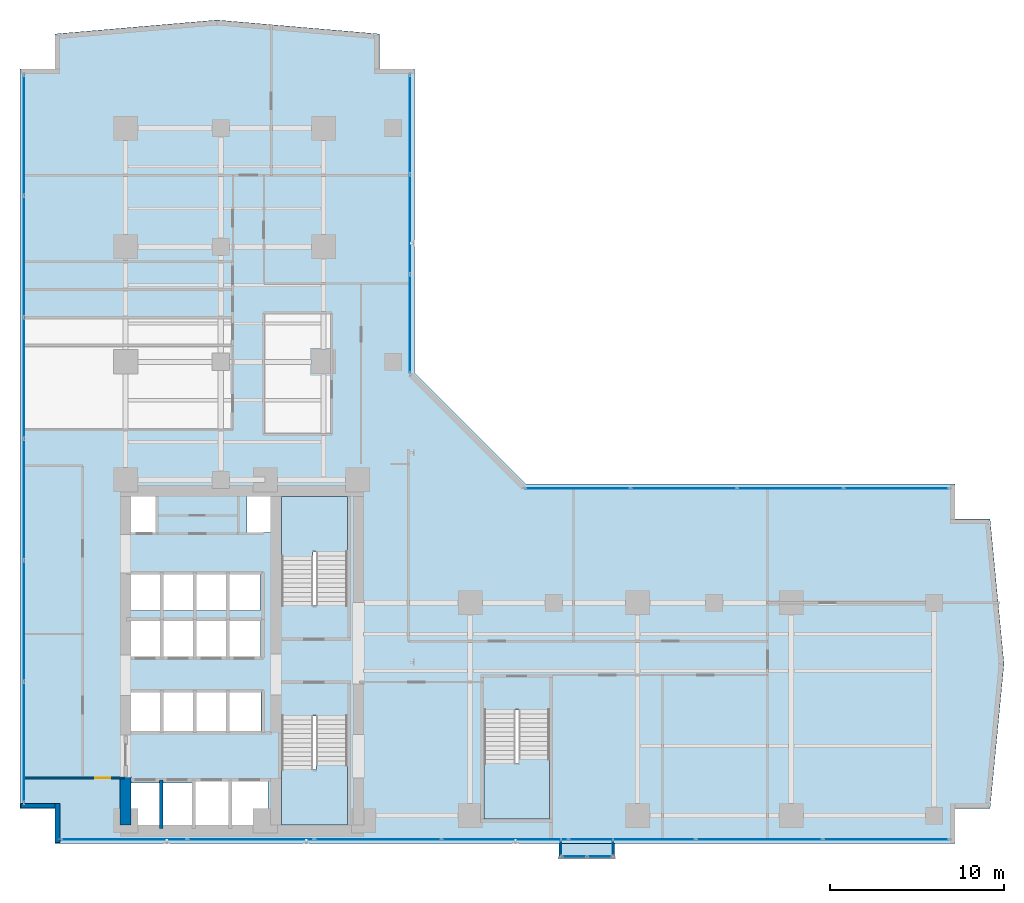
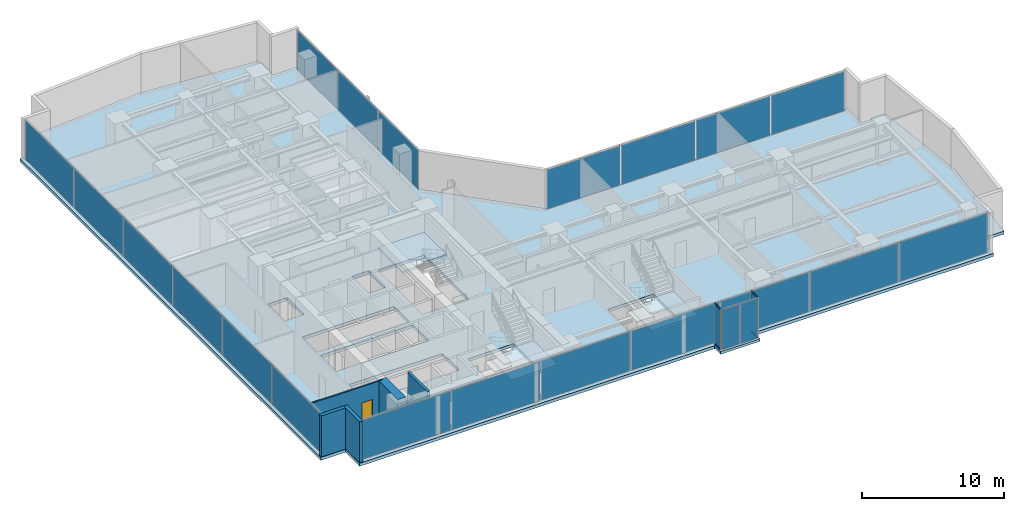
# One storey, part 20 of 28: 24 plates, 5 slabs, 5 walls, 4 members, 1 door, 1 opening, 10 elements without a shape of their own.
"""IFC4 building model written with IfcOpenShell, lengths in metres."""

import ifcopenshell
import ifcopenshell.guid

model = None  # the IFC model being written
_history = None  # IfcOwnerHistory: only IFC2X3 demands one
_inside = {}  # id of a spatial element -> (the spatial element, [elements in it])
_under = {}  # id of a project, library or spatial element -> (it, [spatial elements below it])
_declared = {}  # id of a project -> (the project, [libraries it declares])
_typed = {}  # id of a type object -> (the type object, [elements of that type])
_made_of = {}  # id of a material, layer set ... -> (it, [elements and type objects made of it])


def new_model(schema):
    """Start an empty IFC model of exactly this schema.

    Asked for "IFC4X3", IfcOpenShell would pick the latest addendum, in which some entities
    have other attributes; the version numbers below select the first issue.
    IFC2X3 requires an IfcOwnerHistory on every rooted entity: one is made here for all.
    """
    global model, _history
    if schema == "IFC4X3":
        model = ifcopenshell.file(schema_version=(4, 3, 0, 0))
    else:
        model = ifcopenshell.file(schema=schema)
    _inside.clear()
    _under.clear()
    _declared.clear()
    _typed.clear()
    _made_of.clear()
    _history = None
    if model.schema == "IFC2X3":
        org = make("IfcOrganization", Name="unknown")
        user = make(
            "IfcPersonAndOrganization",
            ThePerson=make("IfcPerson", FamilyName="unknown"),
            TheOrganization=org,
        )
        app = make(
            "IfcApplication",
            ApplicationDeveloper=org,
            Version="unknown",
            ApplicationFullName="unknown",
            ApplicationIdentifier="unknown",
        )
        _history = make(
            "IfcOwnerHistory",
            OwningUser=user,
            OwningApplication=app,
            ChangeAction="ADDED",
            CreationDate=0,
        )
    return model


def make(cls, **values):
    """One entity of the class cls with the attributes given. An attribute that is None is left unset."""
    return model.create_entity(
        cls, **{name: value for name, value in values.items() if value is not None}
    )


def rooted(cls, **values):
    """An entity with a GlobalId (a new one), such as an element, a storey or a relation."""
    return make(cls, GlobalId=ifcopenshell.guid.new(), OwnerHistory=_history, **values)


def si_unit(unit_type, name, prefix=None):
    """IfcSIUnit, for example si_unit("LENGTHUNIT", "METRE", prefix="MILLI")."""
    return make("IfcSIUnit", UnitType=unit_type, Prefix=prefix, Name=name)


def assignment(units):
    """IfcUnitAssignment: the units of a project."""
    return None if units is None else make("IfcUnitAssignment", Units=units)


def point(xyz):
    """IfcCartesianPoint."""
    return None if xyz is None else make("IfcCartesianPoint", Coordinates=xyz)


def direction(xyz):
    """IfcDirection."""
    return None if xyz is None else make("IfcDirection", DirectionRatios=xyz)


def frame(location, z_axis=None, x_axis=None):
    """IfcAxis2Placement3D, a coordinate frame: its origin and axes. An axis left out is left unset."""
    return make(
        "IfcAxis2Placement3D",
        Location=point(location),
        Axis=direction(z_axis),
        RefDirection=direction(x_axis),
    )


def frame_2d(location, x_axis=None):
    """IfcAxis2Placement2D, a coordinate frame in the plane: its origin and x axis."""
    return make(
        "IfcAxis2Placement2D", Location=point(location), RefDirection=direction(x_axis)
    )


def origin():
    """The frame at (0, 0, 0) with its axes left unset."""
    return frame((0.0, 0.0, 0.0))


def origin_with_axes():
    """The frame at (0, 0, 0) with the z axis (0, 0, 1) and the x axis (1, 0, 0) written out."""
    return frame((0.0, 0.0, 0.0), z_axis=(0.0, 0.0, 1.0), x_axis=(1.0, 0.0, 0.0))


def origin_2d():
    """The frame at (0, 0) in the plane with its x axis left unset."""
    return frame_2d((0.0, 0.0))


def place(relative_to, where):
    """IfcLocalPlacement: puts the frame where relative to a parent placement (None: the world)."""
    return make(
        "IfcLocalPlacement", PlacementRelTo=relative_to, RelativePlacement=where
    )


def context(
    kind, dimensions, precision=None, world=None, true_north=None, identifier=None
):
    """IfcGeometricRepresentationContext, for example the 3D "Model" context."""
    return make(
        "IfcGeometricRepresentationContext",
        ContextIdentifier=identifier,
        ContextType=kind,
        CoordinateSpaceDimension=dimensions,
        Precision=precision,
        WorldCoordinateSystem=world,
        TrueNorth=true_north,
    )


def subcontext(parent, identifier, kind, view, scale=None):
    """IfcGeometricRepresentationSubContext, for example "Body" below "Model"."""
    return make(
        "IfcGeometricRepresentationSubContext",
        ContextIdentifier=identifier,
        ContextType=kind,
        ParentContext=parent,
        TargetScale=scale,
        TargetView=view,
    )


def project(units=None, contexts=None):
    """IfcProject with its units and contexts."""
    return rooted(
        "IfcProject",
        Name="project",
        RepresentationContexts=contexts,
        UnitsInContext=assignment(units),
    )


def spatial(cls, under=None, at=None, **own):
    """A site, building, storey or space (cls), placed at a placement, below another one or the project."""
    s = rooted(cls, ObjectPlacement=at, **own)
    if under is not None:
        _under.setdefault(under.id(), (under, []))[1].append(s)
    return s


def polyline(points):
    """IfcPolyline through the points."""
    return make("IfcPolyline", Points=[point(p) for p in points])


def profile(cls, at=None, kind="AREA", **sizes):
    """A parametric profile (cls). Its sizes go by their IFC names, for example OverallWidth=200.0."""
    return make(cls, ProfileType=kind, Position=at, **sizes)


def rectangle(**sizes):
    """IfcRectangleProfileDef."""
    return profile("IfcRectangleProfileDef", **sizes)


def hollow_rectangle(**sizes):
    """IfcRectangleHollowProfileDef."""
    return profile("IfcRectangleHollowProfileDef", **sizes)


def outline(outer, holes=None, kind="AREA"):
    """IfcArbitraryClosedProfileDef: a profile drawn as a closed curve; with holes, ...WithVoids."""
    if holes is None:
        return make("IfcArbitraryClosedProfileDef", ProfileType=kind, OuterCurve=outer)
    return make(
        "IfcArbitraryProfileDefWithVoids",
        ProfileType=kind,
        OuterCurve=outer,
        InnerCurves=holes,
    )


def extrude(swept, where, along, depth):
    """IfcExtrudedAreaSolid: the profile swept, set in the frame where, extruded along a direction by depth."""
    return make(
        "IfcExtrudedAreaSolid",
        SweptArea=swept,
        Position=where,
        ExtrudedDirection=direction(along),
        Depth=depth,
    )


def shape(context_of_items, identifier, shape_type, items):
    """IfcShapeRepresentation: the items that make up one representation, for example the "Body"."""
    return make(
        "IfcShapeRepresentation",
        ContextOfItems=context_of_items,
        RepresentationIdentifier=identifier,
        RepresentationType=shape_type,
        Items=items,
    )


def source(mapping_origin, context_of_items, identifier, shape_type, items):
    """IfcRepresentationMap: a shape defined once, which mapped items show again and again."""
    return make(
        "IfcRepresentationMap",
        MappingOrigin=mapping_origin,
        MappedRepresentation=shape(context_of_items, identifier, shape_type, items),
    )


def transform(
    local_origin,
    x_axis=None,
    y_axis=None,
    z_axis=None,
    scale=None,
    scale2=None,
    scale3=None,
    uniform=True,
):
    """IfcCartesianTransformationOperator3D, or its non-uniform kind. x_axis, y_axis, z_axis: its Axis1, 2, 3."""
    if uniform:
        return make(
            "IfcCartesianTransformationOperator3D",
            Axis1=direction(x_axis),
            Axis2=direction(y_axis),
            LocalOrigin=point(local_origin),
            Scale=scale,
            Axis3=direction(z_axis),
        )
    return make(
        "IfcCartesianTransformationOperator3DnonUniform",
        Axis1=direction(x_axis),
        Axis2=direction(y_axis),
        LocalOrigin=point(local_origin),
        Scale=scale,
        Axis3=direction(z_axis),
        Scale2=scale2,
        Scale3=scale3,
    )


def mapped(mapping_source, mapping_target):
    """IfcMappedItem: shows the shape of a source again, moved by a transform."""
    return make(
        "IfcMappedItem", MappingSource=mapping_source, MappingTarget=mapping_target
    )


def material(Name=None, Category=None):
    """IfcMaterial."""
    return make("IfcMaterial", Name=Name, Category=Category)


def layer(
    of_material, thickness, ventilated=None, Name=None, Category=None, Priority=None
):
    """IfcMaterialLayer: one layer of a wall or slab, of a material (None: an air gap)."""
    return make(
        "IfcMaterialLayer",
        Material=of_material,
        LayerThickness=thickness,
        IsVentilated=ventilated,
        Name=Name,
        Category=Category,
        Priority=Priority,
    )


def layer_set(layers, Name=None):
    """IfcMaterialLayerSet."""
    return make("IfcMaterialLayerSet", MaterialLayers=layers, LayerSetName=Name)


def material_profile(
    of_material, cross_section, Name=None, Category=None, Priority=None
):
    """IfcMaterialProfile: a cross section and its material."""
    return make(
        "IfcMaterialProfile",
        Name=Name,
        Material=of_material,
        Profile=cross_section,
        Priority=Priority,
        Category=Category,
    )


def profile_set(profiles, Name=None, composite=None):
    """IfcMaterialProfileSet."""
    return make(
        "IfcMaterialProfileSet",
        Name=Name,
        MaterialProfiles=profiles,
        CompositeProfile=composite,
    )


def made_of(thing, what):
    """Note that an element or type object is made of a material, layer set ...; save() writes the relation."""
    if what is not None:
        _made_of.setdefault(what.id(), (what, []))[1].append(thing)
    return thing


def type_object(cls, material=None, **own):
    """A type object (cls), such as IfcWallType, which elements share."""
    return made_of(rooted(cls, **own), material)


def element(
    cls,
    number,
    at=None,
    inside=None,
    cuts=None,
    type_object=None,
    material=None,
    context=None,
    identifier="Body",
    shape_type=None,
    held_by="IfcProductDefinitionShape",
    body=None,
    shapes=None,
    **own,
):
    """One element of the class cls, such as IfcWall. Its Tag is "e" and its number.

    at: its placement. inside: the storey or other place that contains it. cuts: it is an
    opening in that element (IfcRelVoidsElement). A single representation is given by context,
    identifier, shape_type and body (its items); several are given by shapes. held_by: the class
    of the entity that holds the representations. save() writes the other relations.
    """
    e = rooted(cls, Tag="e%d" % number, ObjectPlacement=at, **own)
    if body is not None:
        shapes = [shape(context, identifier, shape_type, body)]
    if shapes is not None:
        e.Representation = make(held_by, Representations=shapes)
    if inside is not None:
        _inside.setdefault(inside.id(), (inside, []))[1].append(e)
    if cuts is not None:
        rooted(
            "IfcRelVoidsElement", RelatingBuildingElement=cuts, RelatedOpeningElement=e
        )
    if type_object is not None:
        _typed.setdefault(type_object.id(), (type_object, []))[1].append(e)
    return made_of(e, material)


def fill(opening, filler):
    """IfcRelFillsElement: the door or window that sits in an opening."""
    return rooted(
        "IfcRelFillsElement",
        RelatingOpeningElement=opening,
        RelatedBuildingElement=filler,
    )


def aggregate(whole, parts):
    """IfcRelAggregates: a whole, such as a stair, and the parts it consists of."""
    return rooted("IfcRelAggregates", RelatingObject=whole, RelatedObjects=parts)


def save(model, path):
    """Write the relations noted so far, then the file.

    IfcRelAggregates (storeys below a building ...), IfcRelContainedInSpatialStructure (elements
    in a storey), IfcRelDefinesByType, IfcRelAssociatesMaterial and IfcRelDeclares: one each for
    every whole, place, type object, material and project.
    """
    for whole, parts in _under.values():
        aggregate(whole, parts)
    for where, things in _inside.values():
        rooted(
            "IfcRelContainedInSpatialStructure",
            RelatedElements=things,
            RelatingStructure=where,
        )
    for kind, things in _typed.values():
        rooted("IfcRelDefinesByType", RelatedObjects=things, RelatingType=kind)
    for what, things in _made_of.values():
        rooted("IfcRelAssociatesMaterial", RelatedObjects=things, RelatingMaterial=what)
    for by, libraries in _declared.values():
        rooted("IfcRelDeclares", RelatingContext=by, RelatedDefinitions=libraries)
    model.write(path)


model = new_model("IFC4")

# Units and contexts
model_context = context("Model", 3, precision=1e-05, world=origin(), true_north=direction((0.0, 1.0)))
body_context = subcontext(model_context, "Body", "Model", "MODEL_VIEW")
ifc_project = project(units=[si_unit("LENGTHUNIT", "METRE"), si_unit("AREAUNIT", "SQUARE_METRE"), si_unit("VOLUMEUNIT", "CUBIC_METRE"), si_unit("PLANEANGLEUNIT", "RADIAN"), si_unit("MASSUNIT", "GRAM", prefix="KILO")], contexts=[model_context])

# Site, building, storey
site_placement = place(None, origin())
site = spatial("IfcSite", under=ifc_project, at=site_placement, CompositionType="ELEMENT")
building_placement = place(site_placement, origin())
building = spatial("IfcBuilding", under=site, at=building_placement, Name="Kolvaren Waterfront Exchange", CompositionType="ELEMENT")
storey_placement = place(building_placement, frame((0.0, 0.0, 114.5)))
storey = spatial("IfcBuildingStorey", under=building, at=storey_placement, Name="L29", CompositionType="ELEMENT", Elevation=114.5)

# Curtain wall, members
ifc_material_1 = material(Name="Anodised bronze aluminium 6063-T6", Category="aluminium")
ifc_layer_1 = layer(ifc_material_1, 0.219970703125, Name="Anodised bronze aluminium 6063-T6")
ifc_layer_set_1 = layer_set([ifc_layer_1], Name="Anodised bronze aluminium 6063-T6")
curtain_wall_type_1 = type_object("IfcCurtainWallType", Name="ARC-CW-SYS3", PredefinedType="USERDEFINED", material=ifc_layer_set_1)
curtain_wall_1_placement = place(storey_placement, origin())
curtain_wall_1 = element("IfcCurtainWall", 1, at=curtain_wall_1_placement, inside=storey, type_object=curtain_wall_type_1, Name="L29 stick curtain wall CW3 (CW-L29-BOX-W)", ObjectType="STICK CURTAIN WALL", PredefinedType="USERDEFINED")
ifc_material_profile = material_profile(ifc_material_1, hollow_rectangle(XDim=0.06494140625, YDim=0.1298828125, WallThickness=0.00390625, at=origin_2d()), Name="ALU-TRN-130x65x4")
ifc_profile_set = profile_set([ifc_material_profile], Name="Anodised bronze aluminium 6063-T6")
member_type = type_object("IfcMemberType", Name="ARC-CWT-130", PredefinedType="USERDEFINED", material=ifc_profile_set)
shared_shape_1 = source(origin_with_axes(), body_context, "Body", "SweptSolid", [
    extrude(hollow_rectangle(XDim=0.06494140625, YDim=0.1298828125, WallThickness=0.00390625, at=origin_2d()), origin(), (0.0, 0.0, 1.0), 0.829833984375),
])
member_1_placement = place(storey_placement, frame((32.409912109375, 3.764892578125, 0.032470703125), z_axis=(0.0, -1.0, 0.0), x_axis=(1.0, 0.0, 0.0)))
member_1 = element("IfcMember", 2, at=member_1_placement, type_object=member_type, Name="CW3 transom 1.1", ObjectType="TRANSOM", PredefinedType="USERDEFINED", context=body_context, shape_type="MappedRepresentation", body=[
    mapped(shared_shape_1, transform((0.0, 0.0, 0.0), x_axis=(1.0, 0.0, 0.0), y_axis=(0.0, 1.0, 0.0), z_axis=(0.0, 0.0, 1.0), scale=1.0)),
])
member_2_placement = place(storey_placement, frame((32.409912109375, 3.764892578125, 3.507568359375), z_axis=(0.0, -1.0, 0.0), x_axis=(1.0, 0.0, 0.0)))
member_2 = element("IfcMember", 3, at=member_2_placement, type_object=member_type, Name="CW3 transom 1.2", ObjectType="TRANSOM", PredefinedType="USERDEFINED", context=body_context, shape_type="MappedRepresentation", body=[
    mapped(shared_shape_1, transform((0.0, 0.0, 0.0), x_axis=(1.0, 0.0, 0.0), y_axis=(0.0, 1.0, 0.0), z_axis=(0.0, 0.0, 1.0), scale=1.0)),
])

curtain_wall_2_placement = place(storey_placement, origin())
curtain_wall_2 = element("IfcCurtainWall", 4, at=curtain_wall_2_placement, inside=storey, type_object=curtain_wall_type_1, Name="L29 stick curtain wall CW3 (CW-L29-BOX-E)", ObjectType="STICK CURTAIN WALL", PredefinedType="USERDEFINED")
member_3_placement = place(storey_placement, frame((35.389892578125, 2.93505859375, 0.032470703125), z_axis=(0.0, 1.0, 0.0), x_axis=(-1.0, 0.0, 0.0)))
member_3 = element("IfcMember", 5, at=member_3_placement, type_object=member_type, Name="CW3 transom 1.1", ObjectType="TRANSOM", PredefinedType="USERDEFINED", context=body_context, shape_type="MappedRepresentation", body=[
    mapped(shared_shape_1, transform((0.0, 0.0, 0.0), x_axis=(1.0, 0.0, 0.0), y_axis=(0.0, 1.0, 0.0), z_axis=(0.0, 0.0, 1.0), scale=1.0)),
])
member_4_placement = place(storey_placement, frame((35.389892578125, 2.93505859375, 3.507568359375), z_axis=(0.0, 1.0, 0.0), x_axis=(-1.0, 0.0, 0.0)))
member_4 = element("IfcMember", 6, at=member_4_placement, type_object=member_type, Name="CW3 transom 1.2", ObjectType="TRANSOM", PredefinedType="USERDEFINED", context=body_context, shape_type="MappedRepresentation", body=[
    mapped(shared_shape_1, transform((0.0, 0.0, 0.0), x_axis=(1.0, 0.0, 0.0), y_axis=(0.0, 1.0, 0.0), z_axis=(0.0, 0.0, 1.0), scale=1.0)),
])

# Stair, slab
ifc_material_2 = material(Name="Concrete C40/50", Category="concrete")
stair_type = type_object("IfcStairType", Name="ARC-STAIR-3800", PredefinedType="HALF_TURN_STAIR", material=ifc_material_2)
stair_1_placement = place(storey_placement, origin())
stair_1 = element("IfcStair", 7, at=stair_1_placement, inside=storey, type_object=stair_type, Name="L29 Smoke-proof exit stair ST1", PredefinedType="HALF_TURN_STAIR")
ifc_layer_2 = layer(ifc_material_2, 0.199951171875, Name="Concrete C40/50")
ifc_layer_set_2 = layer_set([ifc_layer_2], Name="Concrete C40/50")
slab_type_1 = type_object("IfcSlabType", Name="STR-LANDING-200", PredefinedType="LANDING", material=ifc_layer_set_2)
slab_1_placement = place(storey_placement, frame((0.0, 0.0, 1.77587890625)))
slab_1 = element("IfcSlab", 8, at=slab_1_placement, type_object=slab_type_1, Name="ST1 landing 1", PredefinedType="LANDING", context=body_context, shape_type="SweptSolid", body=[
    extrude(outline(polyline([(16.39990234375, 7.840087890625), (16.39990234375, 4.64990234375), (20.159912109375, 4.64990234375), (20.159912109375, 8.10009765625), (18.360107421875, 8.10009765625), (18.360107421875, 7.840087890625), (16.39990234375, 7.840087890625)])), origin(), (0.0, 0.0, 1.0), 0.2001953125),
])
aggregate(stair_1, [slab_1])

stair_2_placement = place(storey_placement, origin())
stair_2 = element("IfcStair", 9, at=stair_2_placement, inside=storey, type_object=stair_type, Name="L29 Smoke-proof exit stair ST2", PredefinedType="HALF_TURN_STAIR")
slab_2_placement = place(storey_placement, frame((0.0, 0.0, 1.77587890625)))
slab_2 = element("IfcSlab", 10, at=slab_2_placement, type_object=slab_type_1, Name="ST2 landing 1", PredefinedType="LANDING", context=body_context, shape_type="SweptSolid", body=[
    extrude(outline(polyline([(20.159912109375, 20.31005859375), (20.159912109375, 23.5), (16.39990234375, 23.5), (16.39990234375, 20.050048828125), (18.199951171875, 20.050048828125), (18.199951171875, 20.31005859375), (20.159912109375, 20.31005859375)])), origin(), (0.0, 0.0, 1.0), 0.2001953125),
])
aggregate(stair_2, [slab_2])

stair_3_placement = place(storey_placement, origin())
stair_3 = element("IfcStair", 11, at=stair_3_placement, inside=storey, type_object=stair_type, Name="L29 Exit stair ST3", PredefinedType="HALF_TURN_STAIR")
slab_3_placement = place(storey_placement, frame((0.0, 0.0, 1.77587890625)))
slab_3 = element("IfcSlab", 12, at=slab_3_placement, type_object=slab_type_1, Name="ST3 landing 1", PredefinedType="LANDING", context=body_context, shape_type="SweptSolid", body=[
    extrude(outline(polyline([(28.0, 8.18994140625), (28.0, 5.0), (31.760009765625, 5.0), (31.760009765625, 8.449951171875), (29.9599609375, 8.449951171875), (29.9599609375, 8.18994140625), (28.0, 8.18994140625)])), origin(), (0.0, 0.0, 1.0), 0.2001953125),
])
aggregate(stair_3, [slab_3])

# Slabs
ifc_layer_3 = layer(ifc_material_2, 0.260009765625, Name="Concrete C40/50")
ifc_layer_set_3 = layer_set([ifc_layer_3], Name="Concrete C40/50")
slab_type_2 = type_object("IfcSlabType", Name="STR-SLAB-260", PredefinedType="FLOOR", material=ifc_layer_set_3)
slab_4_placement = place(storey_placement, frame((0.0, 0.0, -0.260009765625)))
element("IfcSlab", 13, at=slab_4_placement, inside=storey, type_object=slab_type_2, Name="L29 structural floor slab", PredefinedType="FLOOR", context=body_context, shape_type="SweptSolid", body=[
    extrude(outline(polyline([(3.39990234375, 3.60009765625), (55.0, 3.60009765625), (55.0, 5.60009765625), (57.0, 5.60009765625), (57.800048828125, 13.89990234375), (57.0, 22.199951171875), (55.0, 22.199951171875), (55.0, 24.199951171875), (30.39990234375, 24.199951171875), (24.0, 30.60009765625), (24.0, 48.0), (22.0, 48.0), (22.0, 50.0), (12.699951171875, 50.800048828125), (3.39990234375, 50.0), (3.39990234375, 48.0), (1.39990234375, 48.0), (1.39990234375, 5.60009765625), (3.39990234375, 5.60009765625), (3.39990234375, 3.60009765625)]), holes=[polyline([(11.320068359375, 7.260009765625), (15.610107421875, 7.260009765625), (15.610107421875, 4.5400390625), (7.719970703125, 4.5400390625), (7.719970703125, 7.06005859375), (11.320068359375, 7.06005859375), (11.320068359375, 7.260009765625)]), polyline([(20.159912109375, 4.64990234375), (16.39990234375, 4.64990234375), (16.39990234375, 10.89990234375), (20.159912109375, 10.89990234375), (20.159912109375, 4.64990234375)]), polyline([(31.760009765625, 5.0), (28.0, 5.0), (28.0, 11.25), (31.760009765625, 11.25), (31.760009765625, 5.0)]), polyline([(15.2099609375, 10.0400390625), (7.6201171875, 10.0400390625), (7.6201171875, 12.360107421875), (15.2099609375, 12.360107421875), (15.2099609375, 10.0400390625)]), polyline([(7.64501953125, 16.4599609375), (15.18505859375, 16.4599609375), (15.18505859375, 14.239990234375), (7.64501953125, 14.239990234375), (7.64501953125, 16.4599609375)]), polyline([(15.159912109375, 16.93994140625), (7.669921875, 16.93994140625), (7.669921875, 19.06005859375), (15.159912109375, 19.06005859375), (15.159912109375, 16.93994140625)]), polyline([(16.39990234375, 23.5), (20.159912109375, 23.5), (20.159912109375, 17.25), (16.39990234375, 17.25), (16.39990234375, 23.5)]), polyline([(7.60009765625, 23.780029296875), (9.179931640625, 23.780029296875), (9.179931640625, 21.419921875), (7.60009765625, 21.419921875), (7.60009765625, 23.780029296875)]), polyline([(15.800048828125, 23.780029296875), (15.800048828125, 21.419921875), (14.419921875, 21.419921875), (14.419921875, 23.780029296875), (15.800048828125, 23.780029296875)])]), origin(), (0.0, 0.0, 1.0), 0.260009765625),
])
ifc_layer_4 = layer(ifc_material_2, 0.219970703125, Name="Concrete C40/50")
ifc_layer_set_4 = layer_set([ifc_layer_4], Name="Concrete C40/50")
slab_type_3 = type_object("IfcSlabType", Name="STR-TERR-220", PredefinedType="FLOOR", material=ifc_layer_set_4)
slab_5_placement = place(storey_placement, frame((0.0, 0.0, -0.219970703125)))
element("IfcSlab", 14, at=slab_5_placement, inside=storey, type_object=slab_type_3, Name="L29 projecting bay-box floor strip", PredefinedType="FLOOR", context=body_context, shape_type="SweptSolid", body=[
    extrude(outline(polyline([(32.300048828125, 2.75), (35.5, 2.75), (35.5, 3.60009765625), (32.300048828125, 3.60009765625), (32.300048828125, 2.75)])), origin(), (0.0, 0.0, 1.0), 0.219970703125),
])

# Plate
ifc_material_3 = material(Name="Bronze tinted bay-box vision glass", Category="aluminium")
ifc_layer_5 = layer(ifc_material_3, 0.02392578125, Name="Bronze tinted bay-box vision glass")
ifc_layer_set_5 = layer_set([ifc_layer_5], Name="Bronze tinted bay-box vision glass")
plate_type_1 = type_object("IfcPlateType", Name="ARC-CWP-24", PredefinedType="CURTAIN_PANEL", material=ifc_layer_set_5)
shared_shape_2 = source(origin_with_axes(), body_context, "Body", "SweptSolid", [
    extrude(rectangle(XDim=0.830078125, YDim=0.02392578125, at=origin_2d()), origin(), (0.0, 0.0, 1.0), 3.409912109375),
])
plate_1_placement = place(storey_placement, frame((32.409912109375, 3.35009765625, 0.06494140625), z_axis=(0.0, 0.0, 1.0), x_axis=(0.0, -1.0, 0.0)))
plate_1 = element("IfcPlate", 15, at=plate_1_placement, type_object=plate_type_1, Name="CW3 panel 1.1", PredefinedType="CURTAIN_PANEL", context=body_context, shape_type="MappedRepresentation", body=[
    mapped(shared_shape_2, transform((0.0, 0.0, 0.0), x_axis=(1.0, 0.0, 0.0), y_axis=(0.0, 1.0, 0.0), z_axis=(0.0, 0.0, 1.0), scale=1.0)),
])

aggregate(curtain_wall_1, [member_1, member_2, plate_1])

plate_2_placement = place(storey_placement, frame((35.389892578125, 3.35009765625, 0.06494140625), z_axis=(0.0, 0.0, 1.0), x_axis=(0.0, 1.0, 0.0)))
plate_2 = element("IfcPlate", 16, at=plate_2_placement, type_object=plate_type_1, Name="CW3 panel 1.1", PredefinedType="CURTAIN_PANEL", context=body_context, shape_type="MappedRepresentation", body=[
    mapped(shared_shape_2, transform((0.0, 0.0, 0.0), x_axis=(1.0, 0.0, 0.0), y_axis=(0.0, 1.0, 0.0), z_axis=(0.0, 0.0, 1.0), scale=1.0)),
])

aggregate(curtain_wall_2, [member_3, member_4, plate_2])

# Curtain wall, plates
curtain_wall_3_placement = place(storey_placement, origin())
curtain_wall_3 = element("IfcCurtainWall", 17, at=curtain_wall_3_placement, inside=storey, type_object=curtain_wall_type_1, Name="L29 stick curtain wall CW3 (CW-L29-BOX)", ObjectType="STICK CURTAIN WALL", PredefinedType="USERDEFINED")
shared_shape_3 = source(origin_with_axes(), body_context, "Body", "SweptSolid", [
    extrude(rectangle(XDim=1.37744140625, YDim=0.02392578125, at=origin_2d()), origin(), (0.0, 0.0, 1.0), 3.409912109375),
])
plate_3_placement = place(storey_placement, frame((33.173828125, 2.860107421875, 0.06494140625), z_axis=(0.0, 0.0, 1.0), x_axis=(1.0, 0.0, 0.0)))
plate_3 = element("IfcPlate", 18, at=plate_3_placement, type_object=plate_type_1, Name="CW3 panel 1.1", PredefinedType="CURTAIN_PANEL", context=body_context, shape_type="MappedRepresentation", body=[
    mapped(shared_shape_3, transform((0.0, 0.0, 0.0), x_axis=(1.0, 0.0, 0.0), y_axis=(0.0, 1.0, 0.0), z_axis=(0.0, 0.0, 1.0), scale=1.0)),
])
plate_4_placement = place(storey_placement, frame((34.626220703125, 2.860107421875, 0.06494140625), z_axis=(0.0, 0.0, 1.0), x_axis=(1.0, 0.0, 0.0)))
plate_4 = element("IfcPlate", 19, at=plate_4_placement, type_object=plate_type_1, Name="CW3 panel 2.1", PredefinedType="CURTAIN_PANEL", context=body_context, shape_type="MappedRepresentation", body=[
    mapped(shared_shape_3, transform((0.0, 0.0, 0.0), x_axis=(1.0, 0.0, 0.0), y_axis=(0.0, 1.0, 0.0), z_axis=(0.0, 0.0, 1.0), scale=1.0)),
])
aggregate(curtain_wall_3, [plate_3, plate_4])

ifc_material_4 = material(Name="Anodised aluminium 6063-T6", Category="aluminium")
ifc_layer_6 = layer(ifc_material_4, 0.219970703125, Name="Anodised aluminium 6063-T6")
ifc_layer_set_6 = layer_set([ifc_layer_6], Name="Anodised aluminium 6063-T6")
curtain_wall_type_2 = type_object("IfcCurtainWallType", Name="ARC-CW-SYS2", PredefinedType="USERDEFINED", material=ifc_layer_set_6)
curtain_wall_4_placement = place(storey_placement, origin())
curtain_wall_4 = element("IfcCurtainWall", 20, at=curtain_wall_4_placement, inside=storey, type_object=curtain_wall_type_2, Name="L29 stick curtain wall CW2 (CW-L29-W)", ObjectType="STICK CURTAIN WALL", PredefinedType="USERDEFINED")
ifc_material_5 = material(Name="Acoustic laminated vision glass", Category="glass")
ifc_layer_7 = layer(ifc_material_5, 0.031982421875, Name="Acoustic laminated vision glass")
ifc_layer_set_7 = layer_set([ifc_layer_7], Name="Acoustic laminated vision glass")
plate_type_2 = type_object("IfcPlateType", Name="ARC-CWP-32", PredefinedType="CURTAIN_PANEL", material=ifc_layer_set_7)
shared_shape_4 = source(origin_with_axes(), body_context, "Body", "SweptSolid", [
    extrude(rectangle(XDim=6.8466796875, YDim=0.031982421875, at=origin_2d()), origin(), (0.0, 0.0, 1.0), 3.389892578125),
])
plate_5_placement = place(storey_placement, frame((1.639892578125, 9.4033203125, 0.0751953125), z_axis=(0.0, 0.0, 1.0), x_axis=(0.0, 1.0, 0.0)))
plate_5 = element("IfcPlate", 21, at=plate_5_placement, type_object=plate_type_2, Name="CW2 panel 1.1", PredefinedType="CURTAIN_PANEL", context=body_context, shape_type="MappedRepresentation", body=[
    mapped(shared_shape_4, transform((0.0, 0.0, 0.0), x_axis=(1.0, 0.0, 0.0), y_axis=(0.0, 1.0, 0.0), z_axis=(0.0, 0.0, 1.0), scale=1.0)),
])
plate_6_placement = place(storey_placement, frame((1.639892578125, 44.19677734375, 0.0751953125), z_axis=(0.0, 0.0, 1.0), x_axis=(0.0, 1.0, 0.0)))
plate_6 = element("IfcPlate", 22, at=plate_6_placement, type_object=plate_type_2, Name="CW2 panel 6.1", PredefinedType="CURTAIN_PANEL", context=body_context, shape_type="MappedRepresentation", body=[
    mapped(shared_shape_4, transform((0.0, 0.0, 0.0), x_axis=(1.0, 0.0, 0.0), y_axis=(0.0, 1.0, 0.0), z_axis=(0.0, 0.0, 1.0), scale=1.0)),
])
shared_shape_5 = source(origin_with_axes(), body_context, "Body", "SweptSolid", [
    extrude(rectangle(XDim=6.88671875, YDim=0.031982421875, at=origin_2d()), origin(), (0.0, 0.0, 1.0), 3.389892578125),
])
plate_7_placement = place(storey_placement, frame((1.639892578125, 16.35009765625, 0.0751953125), z_axis=(0.0, 0.0, 1.0), x_axis=(0.0, 1.0, 0.0)))
plate_7 = element("IfcPlate", 23, at=plate_7_placement, type_object=plate_type_2, Name="CW2 panel 2.1", PredefinedType="CURTAIN_PANEL", context=body_context, shape_type="MappedRepresentation", body=[
    mapped(shared_shape_5, transform((0.0, 0.0, 0.0), x_axis=(1.0, 0.0, 0.0), y_axis=(0.0, 1.0, 0.0), z_axis=(0.0, 0.0, 1.0), scale=1.0)),
])
plate_8_placement = place(storey_placement, frame((1.639892578125, 23.316650390625, 0.0751953125), z_axis=(0.0, 0.0, 1.0), x_axis=(0.0, 1.0, 0.0)))
plate_8 = element("IfcPlate", 24, at=plate_8_placement, type_object=plate_type_2, Name="CW2 panel 3.1", PredefinedType="CURTAIN_PANEL", context=body_context, shape_type="MappedRepresentation", body=[
    mapped(shared_shape_5, transform((0.0, 0.0, 0.0), x_axis=(1.0, 0.0, 0.0), y_axis=(0.0, 1.0, 0.0), z_axis=(0.0, 0.0, 1.0), scale=1.0)),
])
plate_9_placement = place(storey_placement, frame((1.639892578125, 30.283447265625, 0.0751953125), z_axis=(0.0, 0.0, 1.0), x_axis=(0.0, 1.0, 0.0)))
plate_9 = element("IfcPlate", 25, at=plate_9_placement, type_object=plate_type_2, Name="CW2 panel 4.1", PredefinedType="CURTAIN_PANEL", context=body_context, shape_type="MappedRepresentation", body=[
    mapped(shared_shape_5, transform((0.0, 0.0, 0.0), x_axis=(1.0, 0.0, 0.0), y_axis=(0.0, 1.0, 0.0), z_axis=(0.0, 0.0, 1.0), scale=1.0)),
])
plate_10_placement = place(storey_placement, frame((1.639892578125, 37.25, 0.0751953125), z_axis=(0.0, 0.0, 1.0), x_axis=(0.0, 1.0, 0.0)))
plate_10 = element("IfcPlate", 26, at=plate_10_placement, type_object=plate_type_2, Name="CW2 panel 5.1", PredefinedType="CURTAIN_PANEL", context=body_context, shape_type="MappedRepresentation", body=[
    mapped(shared_shape_5, transform((0.0, 0.0, 0.0), x_axis=(1.0, 0.0, 0.0), y_axis=(0.0, 1.0, 0.0), z_axis=(0.0, 0.0, 1.0), scale=1.0)),
])
aggregate(curtain_wall_4, [plate_5, plate_7, plate_8, plate_9, plate_10, plate_6])

ifc_layer_8 = layer(ifc_material_1, 0.219970703125, Name="Anodised bronze aluminium 6063-T6")
ifc_layer_set_8 = layer_set([ifc_layer_8], Name="Anodised bronze aluminium 6063-T6")
curtain_wall_type_3 = type_object("IfcCurtainWallType", Name="ARC-CW-SYS1", PredefinedType="USERDEFINED", material=ifc_layer_set_8)
curtain_wall_5_placement = place(storey_placement, origin())
curtain_wall_5 = element("IfcCurtainWall", 27, at=curtain_wall_5_placement, inside=storey, type_object=curtain_wall_type_3, Name="L29 stick curtain wall CW1 (CW-L29-NE)", ObjectType="STICK CURTAIN WALL", PredefinedType="USERDEFINED")
ifc_material_6 = material(Name="Bronze solar control vision glass", Category="aluminium")
ifc_layer_9 = layer(ifc_material_6, 0.028076171875, Name="Bronze solar control vision glass")
ifc_layer_set_9 = layer_set([ifc_layer_9], Name="Bronze solar control vision glass")
plate_type_3 = type_object("IfcPlateType", Name="ARC-CWP-28", PredefinedType="CURTAIN_PANEL", material=ifc_layer_set_9)
shared_shape_6 = source(origin_with_axes(), body_context, "Body", "SweptSolid", [
    extrude(rectangle(XDim=5.61669921875, YDim=0.028076171875, at=origin_2d()), origin(), (0.0, 0.0, 1.0), 3.389892578125),
])
plate_11_placement = place(storey_placement, frame((23.760009765625, 33.37841796875, 0.0751953125), z_axis=(0.0, 0.0, 1.0), x_axis=(0.0, 1.0, 0.0)))
plate_11 = element("IfcPlate", 28, at=plate_11_placement, type_object=plate_type_3, Name="CW1 panel 1.1", PredefinedType="CURTAIN_PANEL", context=body_context, shape_type="MappedRepresentation", body=[
    mapped(shared_shape_6, transform((0.0, 0.0, 0.0), x_axis=(1.0, 0.0, 0.0), y_axis=(0.0, 1.0, 0.0), z_axis=(0.0, 0.0, 1.0), scale=1.0)),
])
plate_12_placement = place(storey_placement, frame((23.760009765625, 44.811767578125, 0.0751953125), z_axis=(0.0, 0.0, 1.0), x_axis=(0.0, 1.0, 0.0)))
plate_12 = element("IfcPlate", 29, at=plate_12_placement, type_object=plate_type_3, Name="CW1 panel 3.1", PredefinedType="CURTAIN_PANEL", context=body_context, shape_type="MappedRepresentation", body=[
    mapped(shared_shape_6, transform((0.0, 0.0, 0.0), x_axis=(1.0, 0.0, 0.0), y_axis=(0.0, 1.0, 0.0), z_axis=(0.0, 0.0, 1.0), scale=1.0)),
])
shared_shape_7 = source(origin_with_axes(), body_context, "Body", "SweptSolid", [
    extrude(rectangle(XDim=5.65673828125, YDim=0.028076171875, at=origin_2d()), origin(), (0.0, 0.0, 1.0), 3.389892578125),
])
plate_13_placement = place(storey_placement, frame((23.760009765625, 39.094970703125, 0.0751953125), z_axis=(0.0, 0.0, 1.0), x_axis=(0.0, 1.0, 0.0)))
plate_13 = element("IfcPlate", 30, at=plate_13_placement, type_object=plate_type_3, Name="CW1 panel 2.1", PredefinedType="CURTAIN_PANEL", context=body_context, shape_type="MappedRepresentation", body=[
    mapped(shared_shape_7, transform((0.0, 0.0, 0.0), x_axis=(1.0, 0.0, 0.0), y_axis=(0.0, 1.0, 0.0), z_axis=(0.0, 0.0, 1.0), scale=1.0)),
])
aggregate(curtain_wall_5, [plate_11, plate_13, plate_12])

curtain_wall_6_placement = place(storey_placement, origin())
curtain_wall_6 = element("IfcCurtainWall", 31, at=curtain_wall_6_placement, inside=storey, type_object=curtain_wall_type_3, Name="L29 stick curtain wall CW1 (CW-L29-EN)", ObjectType="STICK CURTAIN WALL", PredefinedType="USERDEFINED")
shared_shape_8 = source(origin_with_axes(), body_context, "Body", "SweptSolid", [
    extrude(rectangle(XDim=5.982421875, YDim=0.028076171875, at=origin_2d()), origin(), (0.0, 0.0, 1.0), 3.389892578125),
])
plate_14_placement = place(storey_placement, frame((33.361328125, 23.9599609375, 0.0751953125), z_axis=(0.0, 0.0, 1.0), x_axis=(1.0, 0.0, 0.0)))
plate_14 = element("IfcPlate", 32, at=plate_14_placement, type_object=plate_type_3, Name="CW1 panel 1.1", PredefinedType="CURTAIN_PANEL", context=body_context, shape_type="MappedRepresentation", body=[
    mapped(shared_shape_8, transform((0.0, 0.0, 0.0), x_axis=(1.0, 0.0, 0.0), y_axis=(0.0, 1.0, 0.0), z_axis=(0.0, 0.0, 1.0), scale=1.0)),
])
plate_15_placement = place(storey_placement, frame((51.628662109375, 23.9599609375, 0.0751953125), z_axis=(0.0, 0.0, 1.0), x_axis=(1.0, 0.0, 0.0)))
plate_15 = element("IfcPlate", 33, at=plate_15_placement, type_object=plate_type_3, Name="CW1 panel 4.1", PredefinedType="CURTAIN_PANEL", context=body_context, shape_type="MappedRepresentation", body=[
    mapped(shared_shape_8, transform((0.0, 0.0, 0.0), x_axis=(1.0, 0.0, 0.0), y_axis=(0.0, 1.0, 0.0), z_axis=(0.0, 0.0, 1.0), scale=1.0)),
])
shared_shape_9 = source(origin_with_axes(), body_context, "Body", "SweptSolid", [
    extrude(rectangle(XDim=6.0224609375, YDim=0.028076171875, at=origin_2d()), origin(), (0.0, 0.0, 1.0), 3.389892578125),
])
plate_16_placement = place(storey_placement, frame((39.44384765625, 23.9599609375, 0.0751953125), z_axis=(0.0, 0.0, 1.0), x_axis=(1.0, 0.0, 0.0)))
plate_16 = element("IfcPlate", 34, at=plate_16_placement, type_object=plate_type_3, Name="CW1 panel 2.1", PredefinedType="CURTAIN_PANEL", context=body_context, shape_type="MappedRepresentation", body=[
    mapped(shared_shape_9, transform((0.0, 0.0, 0.0), x_axis=(1.0, 0.0, 0.0), y_axis=(0.0, 1.0, 0.0), z_axis=(0.0, 0.0, 1.0), scale=1.0)),
])
plate_17_placement = place(storey_placement, frame((45.546142578125, 23.9599609375, 0.0751953125), z_axis=(0.0, 0.0, 1.0), x_axis=(1.0, 0.0, 0.0)))
plate_17 = element("IfcPlate", 35, at=plate_17_placement, type_object=plate_type_3, Name="CW1 panel 3.1", PredefinedType="CURTAIN_PANEL", context=body_context, shape_type="MappedRepresentation", body=[
    mapped(shared_shape_9, transform((0.0, 0.0, 0.0), x_axis=(1.0, 0.0, 0.0), y_axis=(0.0, 1.0, 0.0), z_axis=(0.0, 0.0, 1.0), scale=1.0)),
])
aggregate(curtain_wall_6, [plate_14, plate_16, plate_17, plate_15])

curtain_wall_7_placement = place(storey_placement, origin())
curtain_wall_7 = element("IfcCurtainWall", 36, at=curtain_wall_7_placement, inside=storey, type_object=curtain_wall_type_3, Name="L29 stick curtain wall CW1 (CW-L29-S)", ObjectType="STICK CURTAIN WALL", PredefinedType="USERDEFINED")
shared_shape_10 = source(origin_with_axes(), body_context, "Body", "SweptSolid", [
    extrude(rectangle(XDim=7.165771484375, YDim=0.028076171875, at=origin_2d()), origin(), (0.0, 0.0, 1.0), 3.389892578125),
])
plate_18_placement = place(storey_placement, frame((7.36279296875, 3.840087890625, 0.0751953125), z_axis=(0.0, 0.0, 1.0), x_axis=(1.0, 0.0, 0.0)))
plate_18 = element("IfcPlate", 37, at=plate_18_placement, type_object=plate_type_3, Name="CW1 panel 1.1", PredefinedType="CURTAIN_PANEL", context=body_context, shape_type="MappedRepresentation", body=[
    mapped(shared_shape_10, transform((0.0, 0.0, 0.0), x_axis=(1.0, 0.0, 0.0), y_axis=(0.0, 1.0, 0.0), z_axis=(0.0, 0.0, 1.0), scale=1.0)),
])
plate_19_placement = place(storey_placement, frame((51.037109375, 3.840087890625, 0.0751953125), z_axis=(0.0, 0.0, 1.0), x_axis=(1.0, 0.0, 0.0)))
plate_19 = element("IfcPlate", 38, at=plate_19_placement, type_object=plate_type_3, Name="CW1 panel 7.1", PredefinedType="CURTAIN_PANEL", context=body_context, shape_type="MappedRepresentation", body=[
    mapped(shared_shape_10, transform((0.0, 0.0, 0.0), x_axis=(1.0, 0.0, 0.0), y_axis=(0.0, 1.0, 0.0), z_axis=(0.0, 0.0, 1.0), scale=1.0)),
])
shared_shape_11 = source(origin_with_axes(), body_context, "Body", "SweptSolid", [
    extrude(rectangle(XDim=7.205810546875, YDim=0.028076171875, at=origin_2d()), origin(), (0.0, 0.0, 1.0), 3.389892578125),
])
plate_20_placement = place(storey_placement, frame((14.628662109375, 3.840087890625, 0.0751953125), z_axis=(0.0, 0.0, 1.0), x_axis=(1.0, 0.0, 0.0)))
plate_20 = element("IfcPlate", 39, at=plate_20_placement, type_object=plate_type_3, Name="CW1 panel 2.1", PredefinedType="CURTAIN_PANEL", context=body_context, shape_type="MappedRepresentation", body=[
    mapped(shared_shape_11, transform((0.0, 0.0, 0.0), x_axis=(1.0, 0.0, 0.0), y_axis=(0.0, 1.0, 0.0), z_axis=(0.0, 0.0, 1.0), scale=1.0)),
])
plate_21_placement = place(storey_placement, frame((21.914306640625, 3.840087890625, 0.0751953125), z_axis=(0.0, 0.0, 1.0), x_axis=(1.0, 0.0, 0.0)))
plate_21 = element("IfcPlate", 40, at=plate_21_placement, type_object=plate_type_3, Name="CW1 panel 3.1", PredefinedType="CURTAIN_PANEL", context=body_context, shape_type="MappedRepresentation", body=[
    mapped(shared_shape_11, transform((0.0, 0.0, 0.0), x_axis=(1.0, 0.0, 0.0), y_axis=(0.0, 1.0, 0.0), z_axis=(0.0, 0.0, 1.0), scale=1.0)),
])
plate_22_placement = place(storey_placement, frame((29.199951171875, 3.840087890625, 0.0751953125), z_axis=(0.0, 0.0, 1.0), x_axis=(1.0, 0.0, 0.0)))
plate_22 = element("IfcPlate", 41, at=plate_22_placement, type_object=plate_type_3, Name="CW1 panel 4.1", PredefinedType="CURTAIN_PANEL", context=body_context, shape_type="MappedRepresentation", body=[
    mapped(shared_shape_11, transform((0.0, 0.0, 0.0), x_axis=(1.0, 0.0, 0.0), y_axis=(0.0, 1.0, 0.0), z_axis=(0.0, 0.0, 1.0), scale=1.0)),
])
plate_23_placement = place(storey_placement, frame((36.485595703125, 3.840087890625, 0.0751953125), z_axis=(0.0, 0.0, 1.0), x_axis=(1.0, 0.0, 0.0)))
plate_23 = element("IfcPlate", 42, at=plate_23_placement, type_object=plate_type_3, Name="CW1 panel 5.1", PredefinedType="CURTAIN_PANEL", context=body_context, shape_type="MappedRepresentation", body=[
    mapped(shared_shape_11, transform((0.0, 0.0, 0.0), x_axis=(1.0, 0.0, 0.0), y_axis=(0.0, 1.0, 0.0), z_axis=(0.0, 0.0, 1.0), scale=1.0)),
])
plate_24_placement = place(storey_placement, frame((43.771484375, 3.840087890625, 0.0751953125), z_axis=(0.0, 0.0, 1.0), x_axis=(1.0, 0.0, 0.0)))
plate_24 = element("IfcPlate", 43, at=plate_24_placement, type_object=plate_type_3, Name="CW1 panel 6.1", PredefinedType="CURTAIN_PANEL", context=body_context, shape_type="MappedRepresentation", body=[
    mapped(shared_shape_11, transform((0.0, 0.0, 0.0), x_axis=(1.0, 0.0, 0.0), y_axis=(0.0, 1.0, 0.0), z_axis=(0.0, 0.0, 1.0), scale=1.0)),
])
aggregate(curtain_wall_7, [plate_18, plate_20, plate_21, plate_22, plate_23, plate_24, plate_19])

# Walls
ifc_material_7 = material(Name="Precast concrete C40/50", Category="concrete")
ifc_layer_10 = layer(ifc_material_7, 0.280029296875, Name="Precast concrete C40/50")
ifc_layer_set_10 = layer_set([ifc_layer_10], Name="Precast concrete C40/50")
wall_type_1 = type_object("IfcWallType", Name="ARC-EXT-TERR-280", PredefinedType="SOLIDWALL", material=ifc_layer_set_10)
wall_1_placement = place(storey_placement, frame((3.56005859375, 3.659912109375, 0.0), z_axis=(0.0, 0.0, 1.0), x_axis=(0.0, 1.0, 0.0)))
element("IfcWall", 44, at=wall_1_placement, inside=storey, type_object=wall_type_1, Name="L29 notched corner spandrel pier SW-A", PredefinedType="SOLIDWALL", context=body_context, shape_type="SweptSolid", body=[
    extrude(rectangle(XDim=2.239990234375, YDim=0.280029296875, at=frame_2d((1.1201171875, 0.0))), origin(), (0.0, 0.0, 1.0), 3.5400390625),
])
wall_2_placement = place(storey_placement, frame((1.4599609375, 5.760009765625, 0.0), z_axis=(0.0, 0.0, 1.0), x_axis=(1.0, 0.0, 0.0)))
element("IfcWall", 45, at=wall_2_placement, inside=storey, type_object=wall_type_1, Name="L29 notched corner spandrel pier SW-B", PredefinedType="SOLIDWALL", context=body_context, shape_type="SweptSolid", body=[
    extrude(rectangle(XDim=1.9599609375, YDim=0.280029296875, at=frame_2d((0.97998046875, 0.0))), origin(), (0.0, 0.0, 1.0), 3.5400390625),
])

# Wall, opening, door
ifc_material_8 = material(Name="Acoustic gypsum steel stud", Category="steel")
ifc_layer_11 = layer(ifc_material_8, 0.125, Name="Acoustic gypsum steel stud")
ifc_layer_set_11 = layer_set([ifc_layer_11], Name="Acoustic gypsum steel stud")
wall_type_2 = type_object("IfcWallType", Name="ARC-PART-125", PredefinedType="PARTITIONING", material=ifc_layer_set_11)
wall_3_placement = place(storey_placement, frame((1.639892578125, 7.35009765625, 0.0), z_axis=(0.0, 0.0, 1.0), x_axis=(1.0, 0.0, 0.0)))
wall_3 = element("IfcWall", 46, at=wall_3_placement, inside=storey, type_object=wall_type_2, Name="L29 interior wall PW-L29-SWC-N", PredefinedType="PARTITIONING", context=body_context, shape_type="SweptSolid", body=[
    extrude(rectangle(XDim=5.760009765625, YDim=0.125, at=frame_2d((2.8798828125, 0.0))), origin(), (0.0, 0.0, 1.0), 3.5400390625),
])
opening_placement = place(wall_3_placement, frame((4.086669921875, 0.0, 0.0)))
opening = element("IfcOpeningElement", 47, at=opening_placement, cuts=wall_3, Name="Opening D01", PredefinedType="OPENING", context=body_context, shape_type="SweptSolid", body=[
    extrude(rectangle(XDim=0.85009765625, YDim=2.14990234375, at=frame_2d((0.425048828125, 1.074951171875))), frame((0.0, 0.072509765625, 0.0), z_axis=(0.0, -1.0, 0.0), x_axis=(1.0, 0.0, 0.0)), (0.0, 0.0, 1.0), 0.14501953125),
])
ifc_material_9 = material(Name="Oak veneer timber leaf", Category="wood")
door_type = type_object("IfcDoorType", Name="ARC-DR-900", OperationType="NOTDEFINED", PredefinedType="DOOR", material=ifc_material_9)
door_placement = place(opening_placement, origin())
door = element("IfcDoor", 48, at=door_placement, inside=storey, type_object=door_type, Name="L29 door DR-L29-SWC-D (D01)", OperationType="SINGLE_SWING_RIGHT", OverallHeight=2.14990234375, OverallWidth=0.85009765625, PredefinedType="DOOR", context=body_context, shape_type="SweptSolid", body=[
    extrude(rectangle(XDim=0.85009765625, YDim=2.14990234375, at=frame_2d((0.425048828125, 1.074951171875))), frame((0.0, 0.02490234375, 0.0), z_axis=(0.0, -1.0, 0.0), x_axis=(1.0, 0.0, 0.0)), (0.0, 0.0, 1.0), 0.050048828125),
])
fill(opening, door)

# Walls
ifc_layer_12 = layer(ifc_material_2, 0.199951171875, Name="Concrete C40/50")
ifc_layer_set_12 = layer_set([ifc_layer_12], Name="Concrete C40/50")
wall_type_3 = type_object("IfcWallType", Name="ARC-SHAFT-200", PredefinedType="PARTITIONING", material=ifc_layer_set_12)
wall_4_placement = place(storey_placement, frame((9.5, 4.449951171875, 0.0), z_axis=(0.0, 0.0, 1.0), x_axis=(0.0, 1.0, 0.0)))
element("IfcWall", 49, at=wall_4_placement, inside=storey, type_object=wall_type_3, Name="L29 interior wall PW-L29-SH1-DIV-95", PredefinedType="PARTITIONING", context=body_context, shape_type="SweptSolid", body=[
    extrude(rectangle(XDim=2.800048828125, YDim=0.199951171875, at=frame_2d((1.39990234375, 0.0))), origin(), (0.0, 0.0, 1.0), 3.5400390625),
])
ifc_material_10 = material(Name="Concrete C60/75", Category="concrete")
ifc_layer_13 = layer(ifc_material_10, 0.64990234375, Name="Concrete C60/75")
ifc_layer_set_13 = layer_set([ifc_layer_13], Name="Concrete C60/75")
wall_type_4 = type_object("IfcWallType", Name="STR-CWALL-650", PredefinedType="SHEAR", material=ifc_layer_set_13)
wall_5_placement = place(storey_placement, frame((7.449951171875, 4.64990234375, 0.0), z_axis=(0.0, 0.0, 1.0), x_axis=(0.0, 1.0, 0.0)))
element("IfcWall", 50, at=wall_5_placement, inside=storey, type_object=wall_type_4, Name="L29 rear-core shear wall W1", PredefinedType="SHEAR", context=body_context, shape_type="SweptSolid", body=[
    extrude(rectangle(XDim=2.800048828125, YDim=0.64990234375, at=frame_2d((1.39990234375, 0.0))), origin(), (0.0, 0.0, 1.0), 3.5400390625),
])

save(model, "model.ifc")
